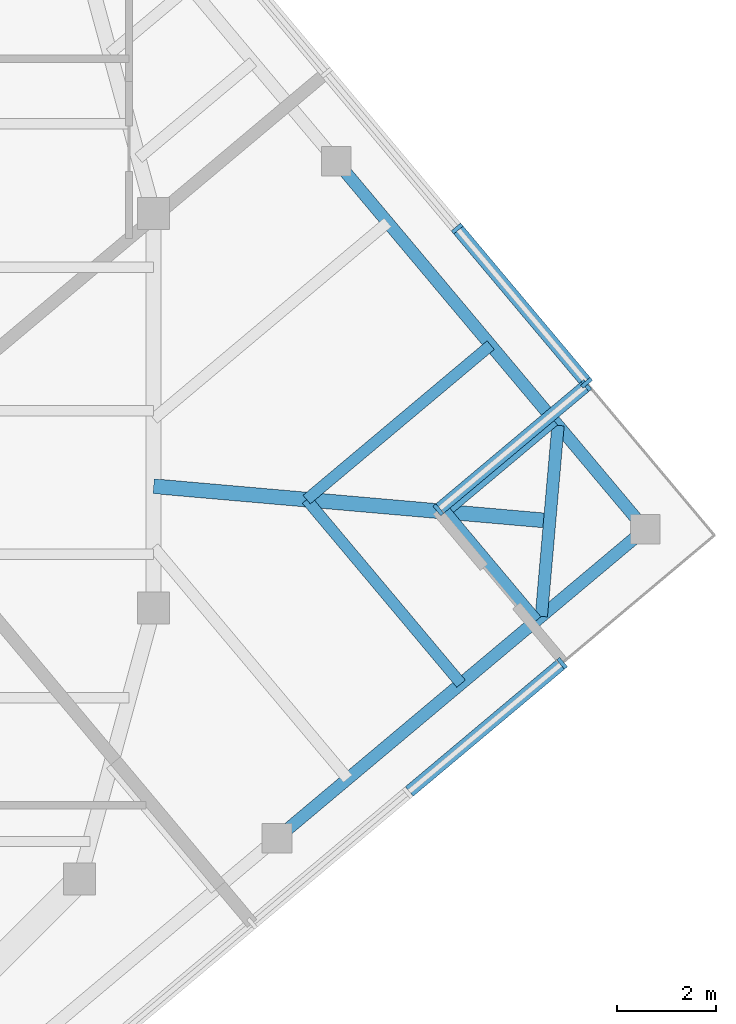
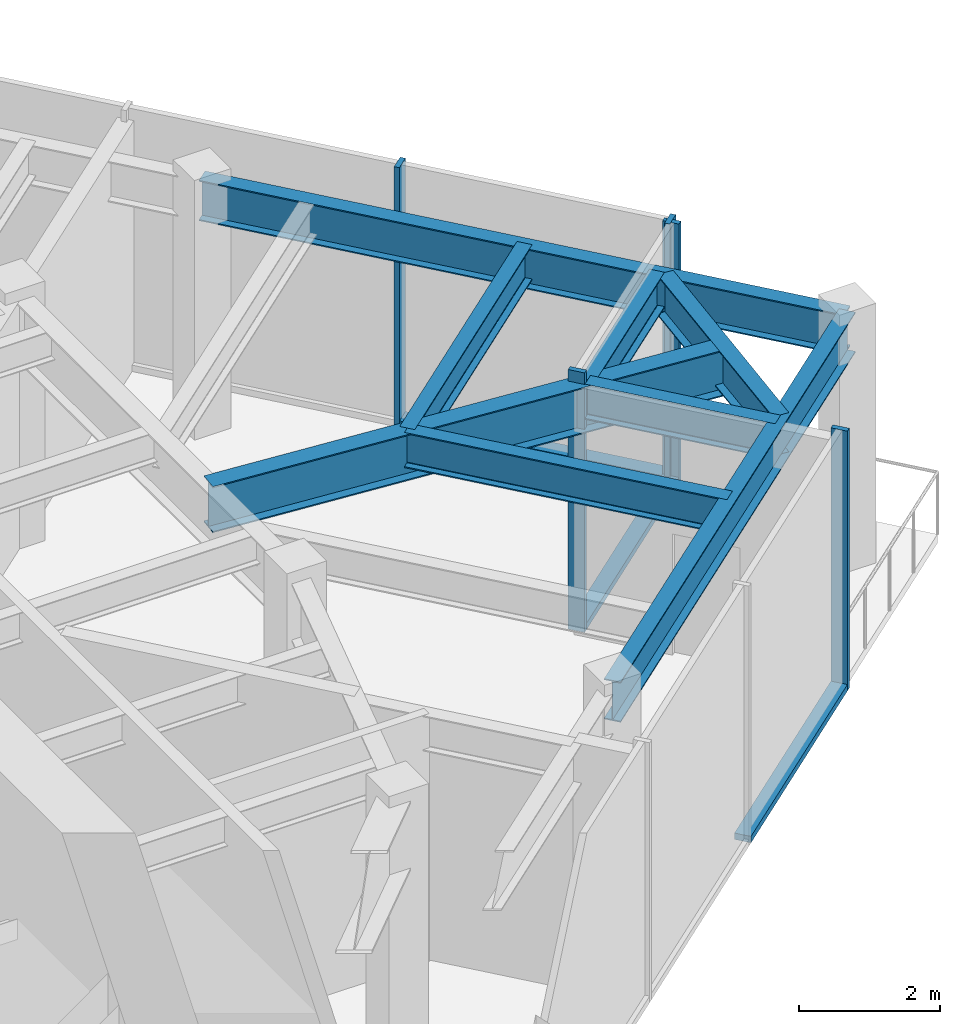
# One storey, part 4 of 11: 8 beams, 8 members, 3 elements without a shape of their own.
"""IFC4 building model written with IfcOpenShell, lengths in metres."""

import ifcopenshell
import ifcopenshell.guid

model = None  # the IFC model being written
_history = None  # IfcOwnerHistory: only IFC2X3 demands one
_inside = {}  # id of a spatial element -> (the spatial element, [elements in it])
_under = {}  # id of a project, library or spatial element -> (it, [spatial elements below it])
_declared = {}  # id of a project -> (the project, [libraries it declares])
_typed = {}  # id of a type object -> (the type object, [elements of that type])
_made_of = {}  # id of a material, layer set ... -> (it, [elements and type objects made of it])


def new_model(schema):
    """Start an empty IFC model of exactly this schema.

    Asked for "IFC4X3", IfcOpenShell would pick the latest addendum, in which some entities
    have other attributes; the version numbers below select the first issue.
    IFC2X3 requires an IfcOwnerHistory on every rooted entity: one is made here for all.
    """
    global model, _history
    if schema == "IFC4X3":
        model = ifcopenshell.file(schema_version=(4, 3, 0, 0))
    else:
        model = ifcopenshell.file(schema=schema)
    _inside.clear()
    _under.clear()
    _declared.clear()
    _typed.clear()
    _made_of.clear()
    _history = None
    if model.schema == "IFC2X3":
        org = make("IfcOrganization", Name="unknown")
        user = make(
            "IfcPersonAndOrganization",
            ThePerson=make("IfcPerson", FamilyName="unknown"),
            TheOrganization=org,
        )
        app = make(
            "IfcApplication",
            ApplicationDeveloper=org,
            Version="unknown",
            ApplicationFullName="unknown",
            ApplicationIdentifier="unknown",
        )
        _history = make(
            "IfcOwnerHistory",
            OwningUser=user,
            OwningApplication=app,
            ChangeAction="ADDED",
            CreationDate=0,
        )
    return model


def make(cls, **values):
    """One entity of the class cls with the attributes given. An attribute that is None is left unset."""
    return model.create_entity(
        cls, **{name: value for name, value in values.items() if value is not None}
    )


def rooted(cls, **values):
    """An entity with a GlobalId (a new one), such as an element, a storey or a relation."""
    return make(cls, GlobalId=ifcopenshell.guid.new(), OwnerHistory=_history, **values)


def si_unit(unit_type, name, prefix=None):
    """IfcSIUnit, for example si_unit("LENGTHUNIT", "METRE", prefix="MILLI")."""
    return make("IfcSIUnit", UnitType=unit_type, Prefix=prefix, Name=name)


def assignment(units):
    """IfcUnitAssignment: the units of a project."""
    return None if units is None else make("IfcUnitAssignment", Units=units)


def point(xyz):
    """IfcCartesianPoint."""
    return None if xyz is None else make("IfcCartesianPoint", Coordinates=xyz)


def direction(xyz):
    """IfcDirection."""
    return None if xyz is None else make("IfcDirection", DirectionRatios=xyz)


def frame(location, z_axis=None, x_axis=None):
    """IfcAxis2Placement3D, a coordinate frame: its origin and axes. An axis left out is left unset."""
    return make(
        "IfcAxis2Placement3D",
        Location=point(location),
        Axis=direction(z_axis),
        RefDirection=direction(x_axis),
    )


def frame_2d(location, x_axis=None):
    """IfcAxis2Placement2D, a coordinate frame in the plane: its origin and x axis."""
    return make(
        "IfcAxis2Placement2D", Location=point(location), RefDirection=direction(x_axis)
    )


def origin():
    """The frame at (0, 0, 0) with its axes left unset."""
    return frame((0.0, 0.0, 0.0))


def origin_2d():
    """The frame at (0, 0) in the plane with its x axis left unset."""
    return frame_2d((0.0, 0.0))


def place(relative_to, where):
    """IfcLocalPlacement: puts the frame where relative to a parent placement (None: the world)."""
    return make(
        "IfcLocalPlacement", PlacementRelTo=relative_to, RelativePlacement=where
    )


def context(
    kind, dimensions, precision=None, world=None, true_north=None, identifier=None
):
    """IfcGeometricRepresentationContext, for example the 3D "Model" context."""
    return make(
        "IfcGeometricRepresentationContext",
        ContextIdentifier=identifier,
        ContextType=kind,
        CoordinateSpaceDimension=dimensions,
        Precision=precision,
        WorldCoordinateSystem=world,
        TrueNorth=true_north,
    )


def subcontext(parent, identifier, kind, view, scale=None):
    """IfcGeometricRepresentationSubContext, for example "Body" below "Model"."""
    return make(
        "IfcGeometricRepresentationSubContext",
        ContextIdentifier=identifier,
        ContextType=kind,
        ParentContext=parent,
        TargetScale=scale,
        TargetView=view,
    )


def project(units=None, contexts=None):
    """IfcProject with its units and contexts."""
    return rooted(
        "IfcProject",
        Name="project",
        RepresentationContexts=contexts,
        UnitsInContext=assignment(units),
    )


def spatial(cls, under=None, at=None, **own):
    """A site, building, storey or space (cls), placed at a placement, below another one or the project."""
    s = rooted(cls, ObjectPlacement=at, **own)
    if under is not None:
        _under.setdefault(under.id(), (under, []))[1].append(s)
    return s


def profile(cls, at=None, kind="AREA", **sizes):
    """A parametric profile (cls). Its sizes go by their IFC names, for example OverallWidth=200.0."""
    return make(cls, ProfileType=kind, Position=at, **sizes)


def rectangle(**sizes):
    """IfcRectangleProfileDef."""
    return profile("IfcRectangleProfileDef", **sizes)


def i_section(**sizes):
    """IfcIShapeProfileDef."""
    return profile("IfcIShapeProfileDef", **sizes)


def extrude(swept, where, along, depth):
    """IfcExtrudedAreaSolid: the profile swept, set in the frame where, extruded along a direction by depth."""
    return make(
        "IfcExtrudedAreaSolid",
        SweptArea=swept,
        Position=where,
        ExtrudedDirection=direction(along),
        Depth=depth,
    )


def shape(context_of_items, identifier, shape_type, items):
    """IfcShapeRepresentation: the items that make up one representation, for example the "Body"."""
    return make(
        "IfcShapeRepresentation",
        ContextOfItems=context_of_items,
        RepresentationIdentifier=identifier,
        RepresentationType=shape_type,
        Items=items,
    )


def material(Name=None, Category=None):
    """IfcMaterial."""
    return make("IfcMaterial", Name=Name, Category=Category)


def material_profile(
    of_material, cross_section, Name=None, Category=None, Priority=None
):
    """IfcMaterialProfile: a cross section and its material."""
    return make(
        "IfcMaterialProfile",
        Name=Name,
        Material=of_material,
        Profile=cross_section,
        Priority=Priority,
        Category=Category,
    )


def profile_set(profiles, Name=None, composite=None):
    """IfcMaterialProfileSet."""
    return make(
        "IfcMaterialProfileSet",
        Name=Name,
        MaterialProfiles=profiles,
        CompositeProfile=composite,
    )


def made_of(thing, what):
    """Note that an element or type object is made of a material, layer set ...; save() writes the relation."""
    if what is not None:
        _made_of.setdefault(what.id(), (what, []))[1].append(thing)
    return thing


def type_object(cls, material=None, **own):
    """A type object (cls), such as IfcWallType, which elements share."""
    return made_of(rooted(cls, **own), material)


def element(
    cls,
    number,
    at=None,
    inside=None,
    cuts=None,
    type_object=None,
    material=None,
    context=None,
    identifier="Body",
    shape_type=None,
    held_by="IfcProductDefinitionShape",
    body=None,
    shapes=None,
    **own,
):
    """One element of the class cls, such as IfcWall. Its Tag is "e" and its number.

    at: its placement. inside: the storey or other place that contains it. cuts: it is an
    opening in that element (IfcRelVoidsElement). A single representation is given by context,
    identifier, shape_type and body (its items); several are given by shapes. held_by: the class
    of the entity that holds the representations. save() writes the other relations.
    """
    e = rooted(cls, Tag="e%d" % number, ObjectPlacement=at, **own)
    if body is not None:
        shapes = [shape(context, identifier, shape_type, body)]
    if shapes is not None:
        e.Representation = make(held_by, Representations=shapes)
    if inside is not None:
        _inside.setdefault(inside.id(), (inside, []))[1].append(e)
    if cuts is not None:
        rooted(
            "IfcRelVoidsElement", RelatingBuildingElement=cuts, RelatedOpeningElement=e
        )
    if type_object is not None:
        _typed.setdefault(type_object.id(), (type_object, []))[1].append(e)
    return made_of(e, material)


def aggregate(whole, parts):
    """IfcRelAggregates: a whole, such as a stair, and the parts it consists of."""
    return rooted("IfcRelAggregates", RelatingObject=whole, RelatedObjects=parts)


def save(model, path):
    """Write the relations noted so far, then the file.

    IfcRelAggregates (storeys below a building ...), IfcRelContainedInSpatialStructure (elements
    in a storey), IfcRelDefinesByType, IfcRelAssociatesMaterial and IfcRelDeclares: one each for
    every whole, place, type object, material and project.
    """
    for whole, parts in _under.values():
        aggregate(whole, parts)
    for where, things in _inside.values():
        rooted(
            "IfcRelContainedInSpatialStructure",
            RelatedElements=things,
            RelatingStructure=where,
        )
    for kind, things in _typed.values():
        rooted("IfcRelDefinesByType", RelatedObjects=things, RelatingType=kind)
    for what, things in _made_of.values():
        rooted("IfcRelAssociatesMaterial", RelatedObjects=things, RelatingMaterial=what)
    for by, libraries in _declared.values():
        rooted("IfcRelDeclares", RelatingContext=by, RelatedDefinitions=libraries)
    model.write(path)


model = new_model("IFC4")

# Units and contexts
model_context = context("Model", 3, precision=1e-05, world=origin(), true_north=direction((0.0, 1.0)))
body_context = subcontext(model_context, "Body", "Model", "MODEL_VIEW")
ifc_project = project(units=[si_unit("LENGTHUNIT", "METRE"), si_unit("AREAUNIT", "SQUARE_METRE"), si_unit("VOLUMEUNIT", "CUBIC_METRE"), si_unit("PLANEANGLEUNIT", "RADIAN"), si_unit("MASSUNIT", "GRAM", prefix="KILO")], contexts=[model_context])

# Site, building, storey
site_placement = place(None, origin())
site = spatial("IfcSite", under=ifc_project, at=site_placement, CompositionType="ELEMENT")
building_placement = place(site_placement, origin())
building = spatial("IfcBuilding", under=site, at=building_placement, Name="Torsade Residences", CompositionType="ELEMENT")
storey_placement = place(building_placement, frame((0.0, 0.0, 299.800048828125)))
storey = spatial("IfcBuildingStorey", under=building, at=storey_placement, Name="L83", CompositionType="ELEMENT", Elevation=299.800048828125)

# Beams
ifc_material_1 = material(Name="Steel grade 300", Category="steel")
ifc_material_profile_1 = material_profile(ifc_material_1, i_section(OverallWidth=0.300048828125, OverallDepth=0.800048828125, WebThickness=0.010009765625, FlangeThickness=0.02001953125, at=origin_2d()), Name="800WB146")
ifc_profile_set_1 = profile_set([ifc_material_profile_1], Name="Steel grade 300")
beam_type_1 = type_object("IfcBeamType", Name="CORNER GIRDER 800WB146", PredefinedType="BEAM", material=ifc_profile_set_1)
beam_1_placement = place(storey_placement, frame((65.53515625, 27.765869140625, 3.89990234375), z_axis=(-0.996193191806, 0.087172957961, 0.0), x_axis=(-0.087172957961, -0.996193191806, 0.0)))
element("IfcBeam", 1, at=beam_1_placement, inside=storey, type_object=beam_type_1, Name="Corner girder 05 L84", PredefinedType="BEAM", context=body_context, shape_type="SweptSolid", body=[
    extrude(i_section(OverallWidth=0.300048828125, OverallDepth=0.800048828125, WebThickness=0.010009765625, FlangeThickness=0.02001953125, at=origin_2d()), origin(), (0.0, 0.0, 1.0), 8.06591796875),
])
ifc_material_2 = material(Name="Steel grade 300", Category="steel")
ifc_material_profile_2 = material_profile(ifc_material_2, i_section(OverallWidth=0.25, OverallDepth=0.699951171875, WebThickness=0.010009765625, FlangeThickness=0.02001953125, at=origin_2d()), Name="700WB130")
ifc_profile_set_2 = profile_set([ifc_material_profile_2], Name="Steel grade 300")
beam_type_2 = type_object("IfcBeamType", Name="CORNER TRIMMER 700WB130", PredefinedType="BEAM", material=ifc_profile_set_2)
beam_2_placement = place(storey_placement, frame((65.70458984375, 29.703125, 3.949951171875), z_axis=(-0.087133464362, -0.996196646947, 0.0), x_axis=(0.996196646947, -0.087133464362, 0.0)))
element("IfcBeam", 2, at=beam_2_placement, inside=storey, type_object=beam_type_2, Name="Corner trimmer 05 L84", PredefinedType="BEAM", context=body_context, shape_type="SweptSolid", body=[
    extrude(i_section(OverallWidth=0.25, OverallDepth=0.699951171875, WebThickness=0.010009765625, FlangeThickness=0.02001953125, at=origin_2d()), origin(), (0.0, 0.0, 1.0), 3.88916015625),
])
ifc_material_3 = material(Name="Steel grade 300", Category="steel")
ifc_material_profile_3 = material_profile(ifc_material_3, i_section(OverallWidth=0.25, OverallDepth=0.699951171875, WebThickness=0.010009765625, FlangeThickness=0.02001953125, at=origin_2d()), Name="700WB130")
ifc_profile_set_3 = profile_set([ifc_material_profile_3], Name="Steel grade 300")
beam_type_3 = type_object("IfcBeamType", Name="EDGE BEAM 700WB130", PredefinedType="SPANDREL", material=ifc_profile_set_3)
for number, where, z_axis, x_axis, name in (
    (3, (60.003173828125, 21.329345703125, 3.949951171875), (0.766051532934, 0.642779160279, 0.0), (-0.642779160279, 0.766051532934, 0.0), "Edge beam 04 L84"),
    (4, (67.47216796875, 27.596435546875, 3.949951171875), (-0.642779160279, 0.766051532934, 0.0), (-0.766051532934, -0.642779160279, 0.0), "Edge beam 05 L84"),
):
    element("IfcBeam", number, at=place(storey_placement, frame(where, z_axis=z_axis, x_axis=x_axis)), inside=storey, type_object=beam_type_3, Name=name, PredefinedType="SPANDREL", context=body_context, shape_type="SweptSolid", body=[
        extrude(i_section(OverallWidth=0.25, OverallDepth=0.699951171875, WebThickness=0.010009765625, FlangeThickness=0.02001953125, at=origin_2d()), origin(), (0.0, 0.0, 1.0), 9.75),
    ])

# Curtain wall, member
ifc_material_4 = material(Name="Aluminium and glass", Category="aluminium")
curtain_wall_type = type_object("IfcCurtainWallType", Name="PLANT LEVEL LOUVRED CURTAIN WALL", PredefinedType="NOTDEFINED", material=ifc_material_4)
curtain_wall_1_placement = place(storey_placement, origin())
curtain_wall_1 = element("IfcCurtainWall", 5, at=curtain_wall_1_placement, inside=storey, type_object=curtain_wall_type, Name="Curtain wall L83 face 1", PredefinedType="NOTDEFINED")
ifc_material_5 = material(Name="Aluminium mullion", Category="aluminium")
ifc_material_profile_4 = material_profile(ifc_material_5, rectangle(XDim=0.25, YDim=0.080078125, at=origin_2d()), Name="LOUVRE WALL MULLION 250x80")
ifc_profile_set_4 = profile_set([ifc_material_profile_4], Name="Aluminium mullion")
member_type_1 = type_object("IfcMemberType", Name="LOUVRE WALL MULLION 250x80", PredefinedType="MULLION", material=ifc_profile_set_4)
member_1_placement = place(storey_placement, frame((65.7861328125, 24.87646484375, 0.0), z_axis=(0.0, 0.0, 1.0), x_axis=(-0.642787616853, 0.766044437106, 0.0)))
member_1 = element("IfcMember", 6, at=member_1_placement, type_object=member_type_1, Name="Mullion 9", PredefinedType="MULLION", context=body_context, shape_type="SweptSolid", body=[
    extrude(rectangle(XDim=0.25, YDim=0.080078125, at=origin_2d()), origin(), (0.0, 0.0, 1.0), 4.5),
])

# Curtain wall, members
curtain_wall_2_placement = place(storey_placement, origin())
curtain_wall_2 = element("IfcCurtainWall", 7, at=curtain_wall_2_placement, inside=storey, type_object=curtain_wall_type, Name="Curtain wall L83 face 3", PredefinedType="NOTDEFINED")
member_2_placement = place(storey_placement, frame((63.2763671875, 27.991943359375, 0.0), z_axis=(0.0, 0.0, 1.0), x_axis=(-0.642787664022, 0.766044397526, 0.0)))
member_2 = element("IfcMember", 8, at=member_2_placement, type_object=member_type_1, Name="Mullion 1", PredefinedType="MULLION", context=body_context, shape_type="SweptSolid", body=[
    extrude(rectangle(XDim=0.25, YDim=0.080078125, at=origin_2d()), origin(), (0.0, 0.0, 1.0), 4.5),
])
member_3_placement = place(storey_placement, frame((66.279296875, 30.51171875, 0.0), z_axis=(0.0, 0.0, 1.0), x_axis=(-0.642787664022, 0.766044397526, 0.0)))
member_3 = element("IfcMember", 9, at=member_3_placement, type_object=member_type_1, Name="Mullion 2", PredefinedType="MULLION", context=body_context, shape_type="SweptSolid", body=[
    extrude(rectangle(XDim=0.25, YDim=0.080078125, at=origin_2d()), origin(), (0.0, 0.0, 1.0), 4.5),
])

curtain_wall_3_placement = place(storey_placement, origin())
curtain_wall_3 = element("IfcCurtainWall", 10, at=curtain_wall_3_placement, inside=storey, type_object=curtain_wall_type, Name="Curtain wall L83 face 4", PredefinedType="NOTDEFINED")
member_4_placement = place(storey_placement, frame((66.2841796875, 30.568115234375, 0.0), z_axis=(0.0, 0.0, 1.0), x_axis=(-0.766044437106, -0.642787616853, 0.0)))
member_4 = element("IfcMember", 11, at=member_4_placement, type_object=member_type_1, Name="Mullion 1", PredefinedType="MULLION", context=body_context, shape_type="SweptSolid", body=[
    extrude(rectangle(XDim=0.25, YDim=0.080078125, at=origin_2d()), origin(), (0.0, 0.0, 1.0), 4.5),
])
member_5_placement = place(storey_placement, frame((63.658447265625, 33.697265625, 0.0), z_axis=(0.0, 0.0, 1.0), x_axis=(-0.766044437106, -0.642787616853, 0.0)))
member_5 = element("IfcMember", 12, at=member_5_placement, type_object=member_type_1, Name="Mullion 2", PredefinedType="MULLION", context=body_context, shape_type="SweptSolid", body=[
    extrude(rectangle(XDim=0.25, YDim=0.080078125, at=origin_2d()), origin(), (0.0, 0.0, 1.0), 4.5),
])

# Member
ifc_material_6 = material(Name="Aluminium transom", Category="aluminium")
ifc_material_profile_5 = material_profile(ifc_material_6, rectangle(XDim=0.25, YDim=0.110107421875, at=origin_2d()), Name="LOUVRE WALL TRANSOM 250x110")
ifc_profile_set_5 = profile_set([ifc_material_profile_5], Name="Aluminium transom")
member_type_2 = type_object("IfcMemberType", Name="LOUVRE WALL TRANSOM 250x110", PredefinedType="USERDEFINED", material=ifc_profile_set_5)
member_6_placement = place(storey_placement, frame((62.6875, 22.2763671875, 0.054931640625), z_axis=(0.766073410227, 0.642753086451, 0.0), x_axis=(-0.642753086451, 0.766073410227, 0.0)))
member_6 = element("IfcMember", 13, at=member_6_placement, type_object=member_type_2, Name="Transom 8.1", ObjectType="TRANSOM", PredefinedType="USERDEFINED", context=body_context, shape_type="SweptSolid", body=[
    extrude(rectangle(XDim=0.25, YDim=0.110107421875, at=origin_2d()), origin(), (0.0, 0.0, 1.0), 4.0048828125),
])

aggregate(curtain_wall_1, [member_1, member_6])

member_7_placement = place(storey_placement, frame((63.30712890625, 28.017578125, 0.054931640625), z_axis=(0.765996615953, 0.642844603577, 0.0), x_axis=(-0.642844603577, 0.765996615953, 0.0)))
member_7 = element("IfcMember", 14, at=member_7_placement, type_object=member_type_2, Name="Transom 1.1", ObjectType="TRANSOM", PredefinedType="USERDEFINED", context=body_context, shape_type="SweptSolid", body=[
    extrude(rectangle(XDim=0.25, YDim=0.110107421875, at=origin_2d()), origin(), (0.0, 0.0, 1.0), 3.840087890625),
])

aggregate(curtain_wall_2, [member_2, member_3, member_7])

member_8_placement = place(storey_placement, frame((66.258544921875, 30.5986328125, 0.054931640625), z_axis=(-0.642788859341, 0.766043394532, 0.0), x_axis=(-0.766043394532, -0.642788859341, 0.0)))
member_8 = element("IfcMember", 15, at=member_8_placement, type_object=member_type_2, Name="Transom 1.1", ObjectType="TRANSOM", PredefinedType="USERDEFINED", context=body_context, shape_type="SweptSolid", body=[
    extrude(rectangle(XDim=0.25, YDim=0.110107421875, at=origin_2d()), origin(), (0.0, 0.0, 1.0), 4.005126953125),
])

aggregate(curtain_wall_3, [member_4, member_5, member_8])

# Beams
ifc_material_7 = material(Name="Steel grade 300", Category="steel")
ifc_material_profile_6 = material_profile(ifc_material_7, i_section(OverallWidth=0.22900390625, OverallDepth=0.612060546875, WebThickness=0.011962890625, FlangeThickness=0.01953125, FilletRadius=0.013916015625, at=origin_2d()), Name="610UB125")
ifc_profile_set_6 = profile_set([ifc_material_profile_6], Name="Steel grade 300")
beam_type_4 = type_object("IfcBeamType", Name="SECONDARY BEAM 610UB125", PredefinedType="JOIST", material=ifc_profile_set_6)
beam_3_placement = place(storey_placement, frame((63.73779296875, 24.462890625, 3.993896484375), z_axis=(-0.642791490223, 0.766041186946, 0.0), x_axis=(-0.766041186946, -0.642791490223, 0.0)))
element("IfcBeam", 16, at=beam_3_placement, inside=storey, type_object=beam_type_4, Name="Floor beam FS11 L84", PredefinedType="JOIST", context=body_context, shape_type="SweptSolid", body=[
    extrude(i_section(OverallWidth=0.22900390625, OverallDepth=0.612060546875, WebThickness=0.011962890625, FlangeThickness=0.01953125, FilletRadius=0.013916015625, at=origin_2d()), origin(), (0.0, 0.0, 1.0), 4.875),
])
for number, where, z_axis, x_axis, name in (
    (17, (65.269775390625, 25.74853515625, 3.993896484375), (-0.642761807001, 0.766066093402, 0.0), (-0.766066093402, -0.642761807001, 0.0), "Floor beam FS12 L84"),
    (18, (65.624267578125, 29.798828125, 3.993896484375), (-0.766066093402, -0.642761807001, 0.0), (0.642761807001, -0.766066093402, 0.0), "Floor beam FE01 L84"),
):
    element("IfcBeam", number, at=place(storey_placement, frame(where, z_axis=z_axis, x_axis=x_axis)), inside=storey, type_object=beam_type_4, Name=name, PredefinedType="JOIST", context=body_context, shape_type="SweptSolid", body=[
        extrude(i_section(OverallWidth=0.22900390625, OverallDepth=0.612060546875, WebThickness=0.011962890625, FlangeThickness=0.01953125, FilletRadius=0.013916015625, at=origin_2d()), origin(), (0.0, 0.0, 1.0), 2.875),
    ])
beam_4_placement = place(storey_placement, frame((64.338623046875, 31.3310546875, 3.993896484375), z_axis=(-0.766016526982, -0.642820877376, 0.0), x_axis=(0.642820877376, -0.766016526982, 0.0)))
element("IfcBeam", 19, at=beam_4_placement, inside=storey, type_object=beam_type_4, Name="Floor beam FE02 L84", PredefinedType="JOIST", context=body_context, shape_type="SweptSolid", body=[
    extrude(i_section(OverallWidth=0.22900390625, OverallDepth=0.612060546875, WebThickness=0.011962890625, FlangeThickness=0.01953125, FilletRadius=0.013916015625, at=origin_2d()), origin(), (0.0, 0.0, 1.0), 4.875),
])

save(model, "model.ifc")
